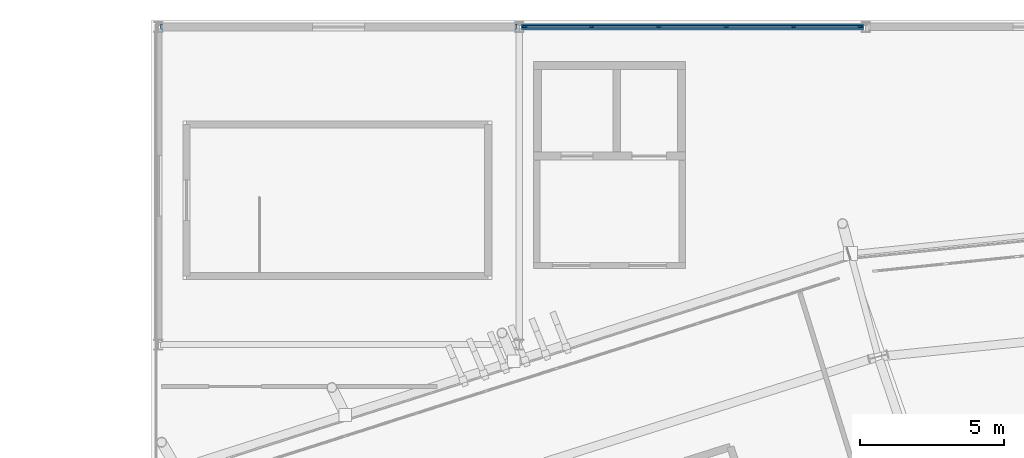
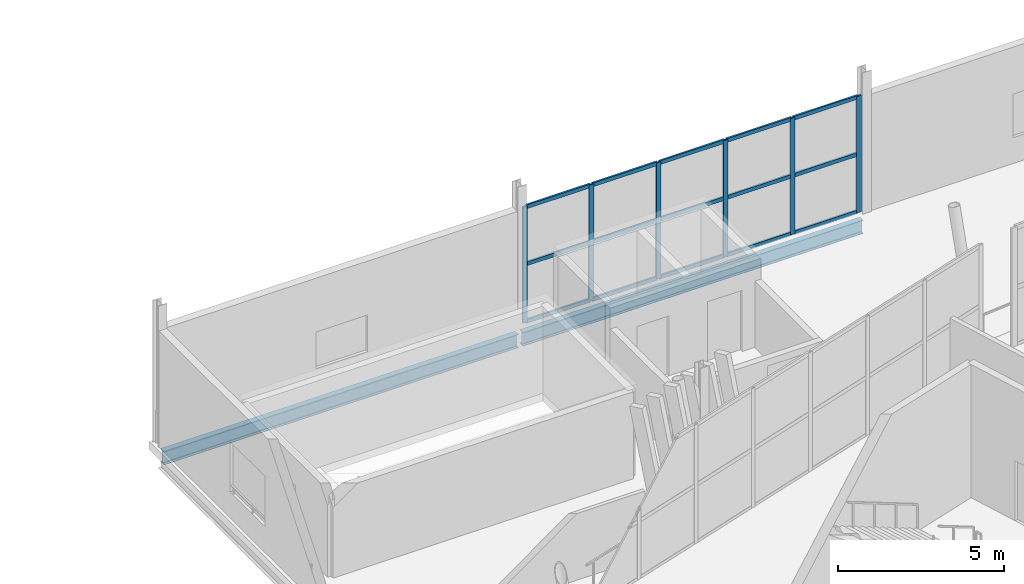
# One storey, part 72 of 168: 21 members, 2 beams, 1 element without a shape of its own.
"""IFC4 building model written with IfcOpenShell, lengths in metres."""

from ifc_helpers import new_model, si_unit, direction, frame, origin, origin_2d, place, context, subcontext, project, spatial, rectangle, i_section, extrude, material, material_profile, profile_set, type_object, element, aggregate, save


model = new_model("IFC4")

# Units and contexts
model_context = context("Model", 3, precision=1e-05, world=origin(), true_north=direction((0.0, 1.0)))
body_context = subcontext(model_context, "Body", "Model", "MODEL_VIEW")
ifc_project = project(units=[si_unit("LENGTHUNIT", "METRE"), si_unit("AREAUNIT", "SQUARE_METRE"), si_unit("VOLUMEUNIT", "CUBIC_METRE"), si_unit("PLANEANGLEUNIT", "RADIAN"), si_unit("MASSUNIT", "GRAM", prefix="KILO")], contexts=[model_context])

# Site, building, storey
site_placement = place(None, origin())
site = spatial("IfcSite", under=ifc_project, at=site_placement, CompositionType="ELEMENT")
building_placement = place(site_placement, origin())
building = spatial("IfcBuilding", under=site, at=building_placement, Name="Zlatoyarsky Gate Stadium", CompositionType="ELEMENT")
storey_placement = place(building_placement, frame((0.0, 0.0, 15.60009765625)))
storey = spatial("IfcBuildingStorey", under=building, at=storey_placement, Name="L03", CompositionType="ELEMENT", Elevation=15.60009765625)

# Curtain wall, members
ifc_material_1 = material(Name="Thermally broken anodised aluminium curtain wall", Category="aluminium")
curtain_wall_type = type_object("IfcCurtainWallType", Name="WINTER GARDEN CONSERVATORY GLAZING", PredefinedType="USERDEFINED", material=ifc_material_1)
curtain_wall_placement = place(storey_placement, origin())
curtain_wall = element("IfcCurtainWall", 1, at=curtain_wall_placement, inside=storey, type_object=curtain_wall_type, Name="Curtain wall CW-V2_NORTH-L03-153", ObjectType="UNITISED GLAZING", PredefinedType="USERDEFINED")
ifc_material_2 = material(Name="Anodised aluminium 6063-T6", Category="aluminium")
ifc_material_profile_1 = material_profile(ifc_material_2, rectangle(XDim=0.06494140625, YDim=0.159912109375, at=origin_2d()), Name="ALU 65X160")
ifc_profile_set_1 = profile_set([ifc_material_profile_1], Name="Anodised aluminium 6063-T6")
member_type_1 = type_object("IfcMemberType", Name="ALUMINIUM MULLION 65X160", PredefinedType="MULLION", material=ifc_profile_set_1)
member_1_placement = place(storey_placement, frame((74.694580078125, 160.0, 0.0), z_axis=(0.0, 0.0, 1.0), x_axis=(0.0, 1.0, 0.0)))
member_1 = element("IfcMember", 2, at=member_1_placement, type_object=member_type_1, Name="CW-WG1 mullion 1", PredefinedType="MULLION", context=body_context, shape_type="SweptSolid", body=[
    extrude(rectangle(XDim=0.06494140625, YDim=0.159912109375, at=origin_2d()), origin(), (0.0, 0.0, 1.0), 4.27978515625),
])
member_2_placement = place(storey_placement, frame((76.997314453125, 160.0, 0.0), z_axis=(0.0, 0.0, 1.0), x_axis=(0.0, 1.0, 0.0)))
member_2 = element("IfcMember", 3, at=member_2_placement, type_object=member_type_1, Name="CW-WG1 mullion 2", PredefinedType="MULLION", context=body_context, shape_type="SweptSolid", body=[
    extrude(rectangle(XDim=0.06494140625, YDim=0.159912109375, at=origin_2d()), origin(), (0.0, 0.0, 1.0), 4.27978515625),
])
member_3_placement = place(storey_placement, frame((79.33251953125, 160.0, 0.0), z_axis=(0.0, 0.0, 1.0), x_axis=(0.0, 1.0, 0.0)))
member_3 = element("IfcMember", 4, at=member_3_placement, type_object=member_type_1, Name="CW-WG1 mullion 3", PredefinedType="MULLION", context=body_context, shape_type="SweptSolid", body=[
    extrude(rectangle(XDim=0.06494140625, YDim=0.159912109375, at=origin_2d()), origin(), (0.0, 0.0, 1.0), 4.27978515625),
])
member_4_placement = place(storey_placement, frame((81.66748046875, 160.0, 0.0), z_axis=(0.0, 0.0, 1.0), x_axis=(0.0, 1.0, 0.0)))
member_4 = element("IfcMember", 5, at=member_4_placement, type_object=member_type_1, Name="CW-WG1 mullion 4", PredefinedType="MULLION", context=body_context, shape_type="SweptSolid", body=[
    extrude(rectangle(XDim=0.06494140625, YDim=0.159912109375, at=origin_2d()), origin(), (0.0, 0.0, 1.0), 4.27978515625),
])
member_5_placement = place(storey_placement, frame((84.002685546875, 160.0, 0.0), z_axis=(0.0, 0.0, 1.0), x_axis=(0.0, 1.0, 0.0)))
member_5 = element("IfcMember", 6, at=member_5_placement, type_object=member_type_1, Name="CW-WG1 mullion 5", PredefinedType="MULLION", context=body_context, shape_type="SweptSolid", body=[
    extrude(rectangle(XDim=0.06494140625, YDim=0.159912109375, at=origin_2d()), origin(), (0.0, 0.0, 1.0), 4.27978515625),
])
member_6_placement = place(storey_placement, frame((86.305419921875, 160.0, 0.0), z_axis=(0.0, 0.0, 1.0), x_axis=(0.0, 1.0, 0.0)))
member_6 = element("IfcMember", 7, at=member_6_placement, type_object=member_type_1, Name="CW-WG1 mullion 6", PredefinedType="MULLION", context=body_context, shape_type="SweptSolid", body=[
    extrude(rectangle(XDim=0.06494140625, YDim=0.159912109375, at=origin_2d()), origin(), (0.0, 0.0, 1.0), 4.27978515625),
])
ifc_material_profile_2 = material_profile(ifc_material_2, rectangle(XDim=0.06494140625, YDim=0.139892578125, at=origin_2d()), Name="ALU 65X140")
ifc_profile_set_2 = profile_set([ifc_material_profile_2], Name="Anodised aluminium 6063-T6")
member_type_2 = type_object("IfcMemberType", Name="ALUMINIUM TRANSOM 65X140", PredefinedType="USERDEFINED", material=ifc_profile_set_2)
member_7_placement = place(storey_placement, frame((74.72705078125, 160.0, 0.032470703125), z_axis=(1.0, 0.0, 0.0), x_axis=(0.0, 1.0, 0.0)))
member_7 = element("IfcMember", 8, at=member_7_placement, type_object=member_type_2, Name="CW-WG1 transom 1.1", ObjectType="TRANSOM", PredefinedType="USERDEFINED", context=body_context, shape_type="SweptSolid", body=[
    extrude(rectangle(XDim=0.06494140625, YDim=0.139892578125, at=origin_2d()), origin(), (0.0, 0.0, 1.0), 2.237548828125),
])
member_8_placement = place(storey_placement, frame((74.72705078125, 160.0, 2.14990234375), z_axis=(1.0, 0.0, 0.0), x_axis=(0.0, 1.0, 0.0)))
member_8 = element("IfcMember", 9, at=member_8_placement, type_object=member_type_2, Name="CW-WG1 transom 1.2", ObjectType="TRANSOM", PredefinedType="USERDEFINED", context=body_context, shape_type="SweptSolid", body=[
    extrude(rectangle(XDim=0.06494140625, YDim=0.139892578125, at=origin_2d()), origin(), (0.0, 0.0, 1.0), 2.237548828125),
])
member_9_placement = place(storey_placement, frame((74.72705078125, 160.0, 4.247314453125), z_axis=(1.0, 0.0, 0.0), x_axis=(0.0, 1.0, 0.0)))
member_9 = element("IfcMember", 10, at=member_9_placement, type_object=member_type_2, Name="CW-WG1 transom 1.3", ObjectType="TRANSOM", PredefinedType="USERDEFINED", context=body_context, shape_type="SweptSolid", body=[
    extrude(rectangle(XDim=0.06494140625, YDim=0.139892578125, at=origin_2d()), origin(), (0.0, 0.0, 1.0), 2.237548828125),
])
member_10_placement = place(storey_placement, frame((77.02978515625, 160.0, 0.032470703125), z_axis=(1.0, 0.0, 0.0), x_axis=(0.0, 1.0, 0.0)))
member_10 = element("IfcMember", 11, at=member_10_placement, type_object=member_type_2, Name="CW-WG1 transom 2.1", ObjectType="TRANSOM", PredefinedType="USERDEFINED", context=body_context, shape_type="SweptSolid", body=[
    extrude(rectangle(XDim=0.06494140625, YDim=0.139892578125, at=origin_2d()), origin(), (0.0, 0.0, 1.0), 2.27001953125),
])
member_11_placement = place(storey_placement, frame((77.02978515625, 160.0, 2.14990234375), z_axis=(1.0, 0.0, 0.0), x_axis=(0.0, 1.0, 0.0)))
member_11 = element("IfcMember", 12, at=member_11_placement, type_object=member_type_2, Name="CW-WG1 transom 2.2", ObjectType="TRANSOM", PredefinedType="USERDEFINED", context=body_context, shape_type="SweptSolid", body=[
    extrude(rectangle(XDim=0.06494140625, YDim=0.139892578125, at=origin_2d()), origin(), (0.0, 0.0, 1.0), 2.27001953125),
])
member_12_placement = place(storey_placement, frame((77.02978515625, 160.0, 4.247314453125), z_axis=(1.0, 0.0, 0.0), x_axis=(0.0, 1.0, 0.0)))
member_12 = element("IfcMember", 13, at=member_12_placement, type_object=member_type_2, Name="CW-WG1 transom 2.3", ObjectType="TRANSOM", PredefinedType="USERDEFINED", context=body_context, shape_type="SweptSolid", body=[
    extrude(rectangle(XDim=0.06494140625, YDim=0.139892578125, at=origin_2d()), origin(), (0.0, 0.0, 1.0), 2.27001953125),
])
member_13_placement = place(storey_placement, frame((79.364990234375, 160.0, 0.032470703125), z_axis=(1.0, 0.0, 0.0), x_axis=(0.0, 1.0, 0.0)))
member_13 = element("IfcMember", 14, at=member_13_placement, type_object=member_type_2, Name="CW-WG1 transom 3.1", ObjectType="TRANSOM", PredefinedType="USERDEFINED", context=body_context, shape_type="SweptSolid", body=[
    extrude(rectangle(XDim=0.06494140625, YDim=0.139892578125, at=origin_2d()), origin(), (0.0, 0.0, 1.0), 2.27001953125),
])
member_14_placement = place(storey_placement, frame((79.364990234375, 160.0, 2.14990234375), z_axis=(1.0, 0.0, 0.0), x_axis=(0.0, 1.0, 0.0)))
member_14 = element("IfcMember", 15, at=member_14_placement, type_object=member_type_2, Name="CW-WG1 transom 3.2", ObjectType="TRANSOM", PredefinedType="USERDEFINED", context=body_context, shape_type="SweptSolid", body=[
    extrude(rectangle(XDim=0.06494140625, YDim=0.139892578125, at=origin_2d()), origin(), (0.0, 0.0, 1.0), 2.27001953125),
])
member_15_placement = place(storey_placement, frame((79.364990234375, 160.0, 4.247314453125), z_axis=(1.0, 0.0, 0.0), x_axis=(0.0, 1.0, 0.0)))
member_15 = element("IfcMember", 16, at=member_15_placement, type_object=member_type_2, Name="CW-WG1 transom 3.3", ObjectType="TRANSOM", PredefinedType="USERDEFINED", context=body_context, shape_type="SweptSolid", body=[
    extrude(rectangle(XDim=0.06494140625, YDim=0.139892578125, at=origin_2d()), origin(), (0.0, 0.0, 1.0), 2.27001953125),
])
member_16_placement = place(storey_placement, frame((81.7001953125, 160.0, 0.032470703125), z_axis=(1.0, 0.0, 0.0), x_axis=(0.0, 1.0, 0.0)))
member_16 = element("IfcMember", 17, at=member_16_placement, type_object=member_type_2, Name="CW-WG1 transom 4.1", ObjectType="TRANSOM", PredefinedType="USERDEFINED", context=body_context, shape_type="SweptSolid", body=[
    extrude(rectangle(XDim=0.06494140625, YDim=0.139892578125, at=origin_2d()), origin(), (0.0, 0.0, 1.0), 2.27001953125),
])
member_17_placement = place(storey_placement, frame((81.7001953125, 160.0, 2.14990234375), z_axis=(1.0, 0.0, 0.0), x_axis=(0.0, 1.0, 0.0)))
member_17 = element("IfcMember", 18, at=member_17_placement, type_object=member_type_2, Name="CW-WG1 transom 4.2", ObjectType="TRANSOM", PredefinedType="USERDEFINED", context=body_context, shape_type="SweptSolid", body=[
    extrude(rectangle(XDim=0.06494140625, YDim=0.139892578125, at=origin_2d()), origin(), (0.0, 0.0, 1.0), 2.27001953125),
])
member_18_placement = place(storey_placement, frame((81.7001953125, 160.0, 4.247314453125), z_axis=(1.0, 0.0, 0.0), x_axis=(0.0, 1.0, 0.0)))
member_18 = element("IfcMember", 19, at=member_18_placement, type_object=member_type_2, Name="CW-WG1 transom 4.3", ObjectType="TRANSOM", PredefinedType="USERDEFINED", context=body_context, shape_type="SweptSolid", body=[
    extrude(rectangle(XDim=0.06494140625, YDim=0.139892578125, at=origin_2d()), origin(), (0.0, 0.0, 1.0), 2.27001953125),
])
member_19_placement = place(storey_placement, frame((84.035400390625, 160.0, 0.032470703125), z_axis=(1.0, 0.0, 0.0), x_axis=(0.0, 1.0, 0.0)))
member_19 = element("IfcMember", 20, at=member_19_placement, type_object=member_type_2, Name="CW-WG1 transom 5.1", ObjectType="TRANSOM", PredefinedType="USERDEFINED", context=body_context, shape_type="SweptSolid", body=[
    extrude(rectangle(XDim=0.06494140625, YDim=0.139892578125, at=origin_2d()), origin(), (0.0, 0.0, 1.0), 2.237548828125),
])
member_20_placement = place(storey_placement, frame((84.035400390625, 160.0, 2.14990234375), z_axis=(1.0, 0.0, 0.0), x_axis=(0.0, 1.0, 0.0)))
member_20 = element("IfcMember", 21, at=member_20_placement, type_object=member_type_2, Name="CW-WG1 transom 5.2", ObjectType="TRANSOM", PredefinedType="USERDEFINED", context=body_context, shape_type="SweptSolid", body=[
    extrude(rectangle(XDim=0.06494140625, YDim=0.139892578125, at=origin_2d()), origin(), (0.0, 0.0, 1.0), 2.237548828125),
])
member_21_placement = place(storey_placement, frame((84.035400390625, 160.0, 4.247314453125), z_axis=(1.0, 0.0, 0.0), x_axis=(0.0, 1.0, 0.0)))
member_21 = element("IfcMember", 22, at=member_21_placement, type_object=member_type_2, Name="CW-WG1 transom 5.3", ObjectType="TRANSOM", PredefinedType="USERDEFINED", context=body_context, shape_type="SweptSolid", body=[
    extrude(rectangle(XDim=0.06494140625, YDim=0.139892578125, at=origin_2d()), origin(), (0.0, 0.0, 1.0), 2.237548828125),
])
aggregate(curtain_wall, [member_1, member_2, member_3, member_4, member_5, member_6, member_7, member_8, member_9, member_10, member_11, member_12, member_13, member_14, member_15, member_16, member_17, member_18, member_19, member_20, member_21])

# Beams
ifc_material_3 = material(Name="Steel S355", Category="steel")
ifc_material_profile_3 = material_profile(ifc_material_3, i_section(OverallWidth=0.199951171875, OverallDepth=0.5, WebThickness=0.01025390625, FlangeThickness=0.01611328125, FilletRadius=0.02099609375, at=origin_2d()), Name="IPE 500")
ifc_profile_set_3 = profile_set([ifc_material_profile_3], Name="Steel S355")
beam_type = type_object("IfcBeamType", Name="STEEL FLOOR BEAM IPE 500", PredefinedType="BEAM", material=ifc_profile_set_3)
beam_1_placement = place(storey_placement, frame((62.080078125, 160.0, -0.530029296875), z_axis=(1.0, 0.0, 0.0), x_axis=(0.0, 1.0, 0.0)))
element("IfcBeam", 23, at=beam_1_placement, inside=storey, type_object=beam_type, Name="Beam B-IPE500 BM-L03-WGX-6-Q", PredefinedType="BEAM", context=body_context, shape_type="SweptSolid", body=[
    extrude(i_section(OverallWidth=0.199951171875, OverallDepth=0.5, WebThickness=0.01025390625, FlangeThickness=0.01611328125, FilletRadius=0.02099609375, at=origin_2d()), origin(), (0.0, 0.0, 1.0), 12.33984375),
])
beam_2_placement = place(storey_placement, frame((74.580078125, 160.0, -0.530029296875), z_axis=(1.0, 0.0, 0.0), x_axis=(0.0, 1.0, 0.0)))
element("IfcBeam", 24, at=beam_2_placement, inside=storey, type_object=beam_type, Name="Beam B-IPE500 BM-L03-WGX-7-Q", PredefinedType="BEAM", context=body_context, shape_type="SweptSolid", body=[
    extrude(i_section(OverallWidth=0.199951171875, OverallDepth=0.5, WebThickness=0.01025390625, FlangeThickness=0.01611328125, FilletRadius=0.02099609375, at=origin_2d()), origin(), (0.0, 0.0, 1.0), 11.83984375),
])

save(model, "model.ifc")
